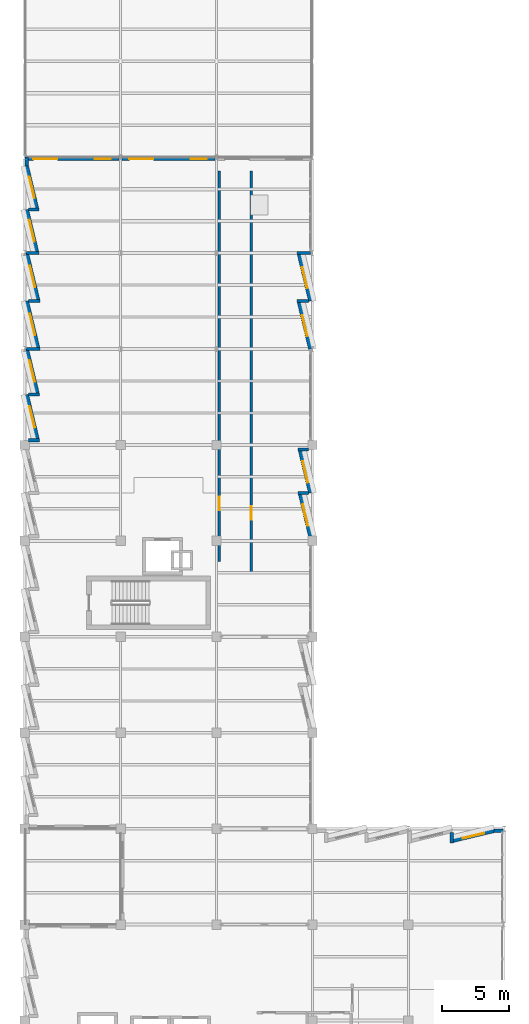
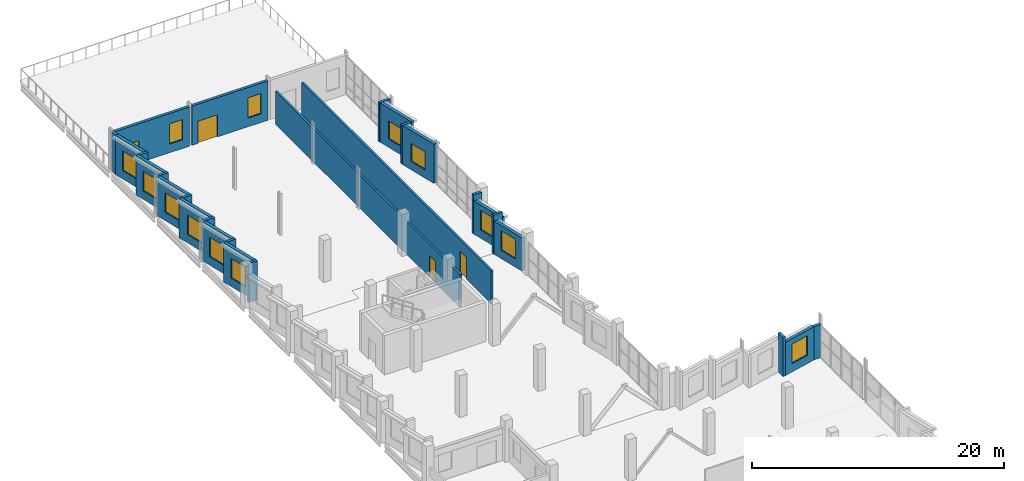
# One storey, part 26 of 33: 28 walls, 13 windows, 4 doors, 17 openings.
"""IFC4 building model written with IfcOpenShell, lengths in metres."""

from ifc_helpers import new_model, si_unit, direction, frame, frame_2d, origin, place, context, subcontext, project, spatial, rectangle, extrude, material, layer, layer_set, type_object, element, fill, save


model = new_model("IFC4")

# Units and contexts
model_context = context("Model", 3, precision=1e-05, world=origin(), true_north=direction((0.0, 1.0)))
body_context = subcontext(model_context, "Body", "Model", "MODEL_VIEW")
ifc_project = project(units=[si_unit("LENGTHUNIT", "METRE"), si_unit("AREAUNIT", "SQUARE_METRE"), si_unit("VOLUMEUNIT", "CUBIC_METRE"), si_unit("PLANEANGLEUNIT", "RADIAN"), si_unit("MASSUNIT", "GRAM", prefix="KILO")], contexts=[model_context])

# Site, building, storey
site_placement = place(None, origin())
site = spatial("IfcSite", under=ifc_project, at=site_placement, CompositionType="ELEMENT")
building_placement = place(site_placement, origin())
building = spatial("IfcBuilding", under=site, at=building_placement, Name="Kalmorath City Hall", CompositionType="ELEMENT")
storey_placement = place(building_placement, frame((0.0, 0.0, 22.949951171875)))
storey = spatial("IfcBuildingStorey", under=building, at=storey_placement, Name="L05", CompositionType="ELEMENT", Elevation=22.949951171875)

# Wall, opening, door
ifc_material_1 = material(Name="Fire-rated acoustic gypsum partition")
ifc_layer_1 = layer(ifc_material_1, 0.179931640625)
ifc_layer_set_1 = layer_set([ifc_layer_1], Name="Fire-rated acoustic gypsum partition")
wall_type_1 = type_object("IfcWallType", Name="One-hour corridor fire partition 180", PredefinedType="PARTITIONING", material=ifc_layer_set_1)
wall_1_placement = place(storey_placement, frame((17.0, 55.239990234375, 0.0), z_axis=(0.0, 0.0, 1.0), x_axis=(0.0, 1.0, 0.0)))
wall_1 = element("IfcWall", 1, at=wall_1_placement, inside=storey, type_object=wall_type_1, Name="L05 interior partition PW2 #173", PredefinedType="PARTITIONING", context=body_context, shape_type="SweptSolid", body=[
    extrude(rectangle(XDim=30.1201171875, YDim=0.179931640625, at=frame_2d((15.06005859375, 0.0))), origin(), (0.0, 0.0, 1.0), 3.2060546875),
])
opening_1_placement = place(wall_1_placement, frame((3.955078125, 0.0, 0.0)))
opening_1 = element("IfcOpeningElement", 2, at=opening_1_placement, cuts=wall_1, Name="Opening D-L05-255", PredefinedType="OPENING", context=body_context, shape_type="SweptSolid", body=[
    extrude(rectangle(XDim=1.0, YDim=2.10009765625, at=frame_2d((0.5, 1.050048828125))), frame((0.0, 0.099853515625, 0.0), z_axis=(0.0, -1.0, 0.0), x_axis=(1.0, 0.0, 0.0)), (0.0, 0.0, 1.0), 0.199951171875),
])
ifc_material_2 = material(Name="Hardwood fire door", Category="wood")
door_type_1 = type_object("IfcDoorType", Name="Corridor 60-min fire door 1000x2100", OperationType="NOTDEFINED", PredefinedType="DOOR", material=ifc_material_2)
door_1_placement = place(opening_1_placement, origin())
door_1 = element("IfcDoor", 3, at=door_1_placement, inside=storey, type_object=door_type_1, Name="L05 door D-L05-255", OperationType="SINGLE_SWING_LEFT", OverallHeight=2.10009765625, OverallWidth=1.0, PredefinedType="DOOR", context=body_context, shape_type="SweptSolid", body=[
    extrude(rectangle(XDim=1.0, YDim=2.10009765625, at=frame_2d((0.5, 1.050048828125))), frame((0.0, 0.02490234375, 0.0), z_axis=(0.0, -1.0, 0.0), x_axis=(1.0, 0.0, 0.0)), (0.0, 0.0, 1.0), 0.050048828125),
])
fill(opening_1, door_1)

wall_2_placement = place(storey_placement, frame((14.60009765625, 56.0400390625, 0.0), z_axis=(0.0, 0.0, 1.0), x_axis=(0.0, 1.0, 0.0)))
wall_2 = element("IfcWall", 4, at=wall_2_placement, inside=storey, type_object=wall_type_1, Name="L05 interior partition PW2 #174", PredefinedType="PARTITIONING", context=body_context, shape_type="SweptSolid", body=[
    extrude(rectangle(XDim=29.320068359375, YDim=0.179931640625, at=frame_2d((14.66015625, 0.0))), origin(), (0.0, 0.0, 1.0), 3.2060546875),
])
opening_2_placement = place(wall_2_placement, frame((3.85498046875, 0.0, 0.0)))
opening_2 = element("IfcOpeningElement", 5, at=opening_2_placement, cuts=wall_2, Name="Opening D-L05-256", PredefinedType="OPENING", context=body_context, shape_type="SweptSolid", body=[
    extrude(rectangle(XDim=1.0, YDim=2.10009765625, at=frame_2d((0.5, 1.050048828125))), frame((0.0, 0.099853515625, 0.0), z_axis=(0.0, -1.0, 0.0), x_axis=(1.0, 0.0, 0.0)), (0.0, 0.0, 1.0), 0.199951171875),
])
door_2_placement = place(opening_2_placement, origin())
door_2 = element("IfcDoor", 6, at=door_2_placement, inside=storey, type_object=door_type_1, Name="L05 door D-L05-256", OperationType="SINGLE_SWING_RIGHT", OverallHeight=2.10009765625, OverallWidth=1.0, PredefinedType="DOOR", context=body_context, shape_type="SweptSolid", body=[
    extrude(rectangle(XDim=1.0, YDim=2.10009765625, at=frame_2d((0.5, 1.050048828125))), frame((0.0, 0.02490234375, 0.0), z_axis=(0.0, -1.0, 0.0), x_axis=(1.0, 0.0, 0.0)), (0.0, 0.0, 1.0), 0.050048828125),
])
fill(opening_2, door_2)

# Walls
ifc_material_3 = material(Name="Precast concrete C40/50", Category="concrete")
ifc_layer_2 = layer(ifc_material_3, 0.239990234375)
ifc_layer_set_2 = layer_set([ifc_layer_2], Name="Precast concrete C40/50")
wall_type_2 = type_object("IfcWallType", Name="Precast sawtooth cheek wall 240", PredefinedType="SOLIDWALL", material=ifc_layer_set_2)
for number, where, z_axis, x_axis, name in (
    (7, (1.127197265625, 65.15087890625, 0.0), (0.0, 0.0, 1.0), (-1.0, 0.0, 0.0), "L05 sawtooth return cheek #922"),
    (8, (1.127197265625, 68.575439453125, 0.0), (0.0, 0.0, 1.0), (-1.0, 0.0, 0.0), "L05 sawtooth return cheek #924"),
):
    element("IfcWall", number, at=place(storey_placement, frame(where, z_axis=z_axis, x_axis=x_axis)), inside=storey, type_object=wall_type_2, Name=name, PredefinedType="SOLIDWALL", context=body_context, shape_type="SweptSolid", body=[
        extrude(rectangle(XDim=0.835205078125, YDim=0.239990234375, at=frame_2d((0.41748046875, 0.0))), origin(), (0.0, 0.0, 1.0), 3.800048828125),
    ])
wall_3_placement = place(storey_placement, frame((1.169189453125, 72.0, 0.0), z_axis=(0.0, 0.0, 1.0), x_axis=(-1.0, 0.0, 0.0)))
element("IfcWall", 9, at=wall_3_placement, inside=storey, type_object=wall_type_2, Name="L05 sawtooth return cheek #926", PredefinedType="SOLIDWALL", context=body_context, shape_type="SweptSolid", body=[
    extrude(rectangle(XDim=1.029296875, YDim=0.239990234375, at=frame_2d((0.5146484375, 0.0))), origin(), (0.0, 0.0, 1.0), 3.800048828125),
])
wall_4_placement = place(storey_placement, frame((1.169189453125, 75.60009765625, 0.0), z_axis=(0.0, 0.0, 1.0), x_axis=(-1.0, 0.0, 0.0)))
element("IfcWall", 10, at=wall_4_placement, inside=storey, type_object=wall_type_2, Name="L05 sawtooth return cheek #928", PredefinedType="SOLIDWALL", context=body_context, shape_type="SweptSolid", body=[
    extrude(rectangle(XDim=0.877197265625, YDim=0.239990234375, at=frame_2d((0.4384765625, 0.0))), origin(), (0.0, 0.0, 1.0), 3.800048828125),
])
wall_5_placement = place(storey_placement, frame((1.087646484375, 79.199951171875, 0.0), z_axis=(0.0, 0.0, 1.0), x_axis=(-1.0, 0.0, 0.0)))
element("IfcWall", 11, at=wall_5_placement, inside=storey, type_object=wall_type_2, Name="L05 sawtooth return cheek #931", PredefinedType="SOLIDWALL", context=body_context, shape_type="SweptSolid", body=[
    extrude(rectangle(XDim=0.94775390625, YDim=0.239990234375, at=frame_2d((0.473876953125, 0.0))), origin(), (0.0, 0.0, 1.0), 3.800048828125),
])
wall_6_placement = place(storey_placement, frame((1.087646484375, 82.4599609375, 0.0), z_axis=(0.0, 0.0, 1.0), x_axis=(-1.0, 0.0, 0.0)))
element("IfcWall", 12, at=wall_6_placement, inside=storey, type_object=wall_type_2, Name="L05 sawtooth return cheek #933", PredefinedType="SOLIDWALL", context=body_context, shape_type="SweptSolid", body=[
    extrude(rectangle(XDim=0.795654296875, YDim=0.239990234375, at=frame_2d((0.39794921875, 0.0))), origin(), (0.0, 0.0, 1.0), 3.800048828125),
])
wall_7_placement = place(storey_placement, frame((20.4306640625, 79.199951171875, 0.0), z_axis=(0.0, 0.0, 1.0), x_axis=(1.0, 0.0, 0.0)))
element("IfcWall", 13, at=wall_7_placement, inside=storey, type_object=wall_type_2, Name="L05 sawtooth return cheek #938", PredefinedType="SOLIDWALL", context=body_context, shape_type="SweptSolid", body=[
    extrude(rectangle(XDim=1.029296875, YDim=0.239990234375, at=frame_2d((0.5146484375, 0.0))), origin(), (0.0, 0.0, 1.0), 3.800048828125),
])
wall_8_placement = place(storey_placement, frame((20.4306640625, 75.60009765625, 0.0), z_axis=(0.0, 0.0, 1.0), x_axis=(1.0, 0.0, 0.0)))
element("IfcWall", 14, at=wall_8_placement, inside=storey, type_object=wall_type_2, Name="L05 sawtooth return cheek #940", PredefinedType="SOLIDWALL", context=body_context, shape_type="SweptSolid", body=[
    extrude(rectangle(XDim=0.87744140625, YDim=0.239990234375, at=frame_2d((0.438720703125, 0.0))), origin(), (0.0, 0.0, 1.0), 3.800048828125),
])
for number, where, z_axis, x_axis, name in (
    (15, (20.514892578125, 64.448974609375, 0.0), (0.0, 0.0, 1.0), (1.0, 0.0, 0.0), "L05 sawtooth return cheek #942"),
    (16, (20.514892578125, 61.199951171875, 0.0), (0.0, 0.0, 1.0), (1.0, 0.0, 0.0), "L05 sawtooth return cheek #944"),
):
    element("IfcWall", number, at=place(storey_placement, frame(where, z_axis=z_axis, x_axis=x_axis)), inside=storey, type_object=wall_type_2, Name=name, PredefinedType="SOLIDWALL", context=body_context, shape_type="SweptSolid", body=[
        extrude(rectangle(XDim=0.793212890625, YDim=0.239990234375, at=frame_2d((0.396484375, 0.0))), origin(), (0.0, 0.0, 1.0), 3.800048828125),
    ])
wall_9_placement = place(storey_placement, frame((32.06005859375, 34.93701171875, 0.0), z_axis=(0.0, 0.0, 1.0), x_axis=(0.0, 1.0, 0.0)))
element("IfcWall", 17, at=wall_9_placement, inside=storey, type_object=wall_type_2, Name="L05 sawtooth return cheek #958", PredefinedType="SOLIDWALL", context=body_context, shape_type="SweptSolid", body=[
    extrude(rectangle(XDim=0.77099609375, YDim=0.239990234375, at=frame_2d((0.385498046875, 0.0))), origin(), (0.0, 0.0, 1.0), 3.800048828125),
])

# Wall, opening, window
ifc_material_4 = material(Name="Precast concrete C40/50", Category="concrete")
ifc_layer_3 = layer(ifc_material_4, 0.280029296875)
ifc_layer_set_3 = layer_set([ifc_layer_3], Name="Precast concrete C40/50")
wall_type_3 = type_object("IfcWallType", Name="Precast sawtooth facade wall 280", PredefinedType="SOLIDWALL", material=ifc_layer_set_3)
wall_10_placement = place(storey_placement, frame((0.9599609375, 65.243408203125, 0.0), z_axis=(0.0, 0.0, 1.0), x_axis=(-0.233472652325, 0.972363368611, 0.0)))
wall_10 = element("IfcWall", 18, at=wall_10_placement, inside=storey, type_object=wall_type_3, Name="L05 sawtooth precast frame #921", PredefinedType="SOLIDWALL", context=body_context, shape_type="SweptSolid", body=[
    extrude(rectangle(XDim=3.4267578125, YDim=0.280029296875, at=frame_2d((1.71337890625, 0.0))), origin(), (0.0, 0.0, 1.0), 3.800048828125),
])
opening_3_placement = place(wall_10_placement, frame((0.888427734375, 0.0, 0.800048828125)))
opening_3 = element("IfcOpeningElement", 19, at=opening_3_placement, cuts=wall_10, Name="Opening WN2", PredefinedType="OPENING", context=body_context, shape_type="SweptSolid", body=[
    extrude(rectangle(XDim=1.64990234375, YDim=1.89990234375, at=frame_2d((0.824951171875, 0.949951171875))), frame((0.0, 0.14990234375, 0.0), z_axis=(0.0, -1.0, 0.0), x_axis=(1.0, 0.0, 0.0)), (0.0, 0.0, 1.0), 0.300048828125),
])
ifc_material_5 = material(Name="Aluminium and laminated glass", Category="aluminium")
window_type_1 = type_object("IfcWindowType", Name="Sawtooth hurricane window 1650x1900", PartitioningType="SINGLE_PANEL", PredefinedType="WINDOW", material=ifc_material_5)
window_1_placement = place(opening_3_placement, origin())
window_1 = element("IfcWindow", 20, at=window_1_placement, inside=storey, type_object=window_type_1, Name="L05 window WN2-474", OverallHeight=1.89990234375, OverallWidth=1.64990234375, PartitioningType="SINGLE_PANEL", PredefinedType="WINDOW", context=body_context, shape_type="SweptSolid", body=[
    extrude(rectangle(XDim=1.64990234375, YDim=1.89990234375, at=frame_2d((0.824951171875, 0.949951171875))), frame((0.0, 0.030029296875, 0.0), z_axis=(0.0, -1.0, 0.0), x_axis=(1.0, 0.0, 0.0)), (0.0, 0.0, 1.0), 0.06005859375),
])
fill(opening_3, window_1)

wall_11_placement = place(storey_placement, frame((0.9599609375, 68.66796875, 0.0), z_axis=(0.0, 0.0, 1.0), x_axis=(-0.233472652325, 0.972363368611, 0.0)))
wall_11 = element("IfcWall", 21, at=wall_11_placement, inside=storey, type_object=wall_type_3, Name="L05 sawtooth precast frame #923", PredefinedType="SOLIDWALL", context=body_context, shape_type="SweptSolid", body=[
    extrude(rectangle(XDim=3.4267578125, YDim=0.280029296875, at=frame_2d((1.71337890625, 0.0))), origin(), (0.0, 0.0, 1.0), 3.800048828125),
])
opening_4_placement = place(wall_11_placement, frame((0.888427734375, 0.0, 0.800048828125)))
opening_4 = element("IfcOpeningElement", 22, at=opening_4_placement, cuts=wall_11, Name="Opening WN2", PredefinedType="OPENING", context=body_context, shape_type="SweptSolid", body=[
    extrude(rectangle(XDim=1.64990234375, YDim=1.89990234375, at=frame_2d((0.824951171875, 0.949951171875))), frame((0.0, 0.14990234375, 0.0), z_axis=(0.0, -1.0, 0.0), x_axis=(1.0, 0.0, 0.0)), (0.0, 0.0, 1.0), 0.300048828125),
])
window_2_placement = place(opening_4_placement, origin())
window_2 = element("IfcWindow", 23, at=window_2_placement, inside=storey, type_object=window_type_1, Name="L05 window WN2-475", OverallHeight=1.89990234375, OverallWidth=1.64990234375, PartitioningType="SINGLE_PANEL", PredefinedType="WINDOW", context=body_context, shape_type="SweptSolid", body=[
    extrude(rectangle(XDim=1.64990234375, YDim=1.89990234375, at=frame_2d((0.824951171875, 0.949951171875))), frame((0.0, 0.030029296875, 0.0), z_axis=(0.0, -1.0, 0.0), x_axis=(1.0, 0.0, 0.0)), (0.0, 0.0, 1.0), 0.06005859375),
])
fill(opening_4, window_2)

wall_12_placement = place(storey_placement, frame((1.002197265625, 72.09228515625, 0.0), z_axis=(0.0, 0.0, 1.0), x_axis=(-0.233480453725, 0.972361495396, 0.0)))
wall_12 = element("IfcWall", 24, at=wall_12_placement, inside=storey, type_object=wall_type_3, Name="L05 sawtooth precast frame #925", PredefinedType="SOLIDWALL", context=body_context, shape_type="SweptSolid", body=[
    extrude(rectangle(XDim=3.607421875, YDim=0.280029296875, at=frame_2d((1.8037109375, 0.0))), origin(), (0.0, 0.0, 1.0), 3.800048828125),
])
opening_5_placement = place(wall_12_placement, frame((0.978515625, 0.0, 0.800048828125)))
opening_5 = element("IfcOpeningElement", 25, at=opening_5_placement, cuts=wall_12, Name="Opening WN2", PredefinedType="OPENING", context=body_context, shape_type="SweptSolid", body=[
    extrude(rectangle(XDim=1.64990234375, YDim=1.89990234375, at=frame_2d((0.824951171875, 0.949951171875))), frame((0.0, 0.14990234375, 0.0), z_axis=(0.0, -1.0, 0.0), x_axis=(1.0, 0.0, 0.0)), (0.0, 0.0, 1.0), 0.300048828125),
])
window_3_placement = place(opening_5_placement, origin())
window_3 = element("IfcWindow", 26, at=window_3_placement, inside=storey, type_object=window_type_1, Name="L05 window WN2-476", OverallHeight=1.89990234375, OverallWidth=1.64990234375, PartitioningType="SINGLE_PANEL", PredefinedType="WINDOW", context=body_context, shape_type="SweptSolid", body=[
    extrude(rectangle(XDim=1.64990234375, YDim=1.89990234375, at=frame_2d((0.824951171875, 0.949951171875))), frame((0.0, 0.030029296875, 0.0), z_axis=(0.0, -1.0, 0.0), x_axis=(1.0, 0.0, 0.0)), (0.0, 0.0, 1.0), 0.06005859375),
])
fill(opening_5, window_3)

wall_13_placement = place(storey_placement, frame((1.002197265625, 75.6923828125, 0.0), z_axis=(0.0, 0.0, 1.0), x_axis=(-0.233495818898, 0.972357805829, 0.0)))
wall_13 = element("IfcWall", 27, at=wall_13_placement, inside=storey, type_object=wall_type_3, Name="L05 sawtooth precast frame #927", PredefinedType="SOLIDWALL", context=body_context, shape_type="SweptSolid", body=[
    extrude(rectangle(XDim=3.607177734375, YDim=0.280029296875, at=frame_2d((1.8037109375, 0.0))), origin(), (0.0, 0.0, 1.0), 3.800048828125),
])
opening_6_placement = place(wall_13_placement, frame((0.978515625, 0.0, 0.800048828125)))
opening_6 = element("IfcOpeningElement", 28, at=opening_6_placement, cuts=wall_13, Name="Opening WN2", PredefinedType="OPENING", context=body_context, shape_type="SweptSolid", body=[
    extrude(rectangle(XDim=1.64990234375, YDim=1.89990234375, at=frame_2d((0.824951171875, 0.949951171875))), frame((0.0, 0.14990234375, 0.0), z_axis=(0.0, -1.0, 0.0), x_axis=(1.0, 0.0, 0.0)), (0.0, 0.0, 1.0), 0.300048828125),
])
window_4_placement = place(opening_6_placement, origin())
window_4 = element("IfcWindow", 29, at=window_4_placement, inside=storey, type_object=window_type_1, Name="L05 window WN2-477", OverallHeight=1.89990234375, OverallWidth=1.64990234375, PartitioningType="SINGLE_PANEL", PredefinedType="WINDOW", context=body_context, shape_type="SweptSolid", body=[
    extrude(rectangle(XDim=1.64990234375, YDim=1.89990234375, at=frame_2d((0.824951171875, 0.949951171875))), frame((0.0, 0.030029296875, 0.0), z_axis=(0.0, -1.0, 0.0), x_axis=(1.0, 0.0, 0.0)), (0.0, 0.0, 1.0), 0.06005859375),
])
fill(opening_6, window_4)

wall_14_placement = place(storey_placement, frame((0.92041015625, 79.29248046875, 0.0), z_axis=(0.0, 0.0, 1.0), x_axis=(-0.233460824675, 0.972366208453, 0.0)))
wall_14 = element("IfcWall", 30, at=wall_14_placement, inside=storey, type_object=wall_type_3, Name="L05 sawtooth precast frame #930", PredefinedType="SOLIDWALL", context=body_context, shape_type="SweptSolid", body=[
    extrude(rectangle(XDim=3.257568359375, YDim=0.280029296875, at=frame_2d((1.62890625, 0.0))), origin(), (0.0, 0.0, 1.0), 3.800048828125),
])
opening_7_placement = place(wall_14_placement, frame((0.8037109375, 0.0, 0.800048828125)))
opening_7 = element("IfcOpeningElement", 31, at=opening_7_placement, cuts=wall_14, Name="Opening WN2", PredefinedType="OPENING", context=body_context, shape_type="SweptSolid", body=[
    extrude(rectangle(XDim=1.64990234375, YDim=1.89990234375, at=frame_2d((0.824951171875, 0.949951171875))), frame((0.0, 0.14990234375, 0.0), z_axis=(0.0, -1.0, 0.0), x_axis=(1.0, 0.0, 0.0)), (0.0, 0.0, 1.0), 0.300048828125),
])
window_5_placement = place(opening_7_placement, origin())
window_5 = element("IfcWindow", 32, at=window_5_placement, inside=storey, type_object=window_type_1, Name="L05 window WN2-478", OverallHeight=1.89990234375, OverallWidth=1.64990234375, PartitioningType="SINGLE_PANEL", PredefinedType="WINDOW", context=body_context, shape_type="SweptSolid", body=[
    extrude(rectangle(XDim=1.64990234375, YDim=1.89990234375, at=frame_2d((0.824951171875, 0.949951171875))), frame((0.0, 0.030029296875, 0.0), z_axis=(0.0, -1.0, 0.0), x_axis=(1.0, 0.0, 0.0)), (0.0, 0.0, 1.0), 0.06005859375),
])
fill(opening_7, window_5)

wall_15_placement = place(storey_placement, frame((0.92041015625, 82.552490234375, 0.0), z_axis=(0.0, 0.0, 1.0), x_axis=(-0.233460824675, 0.972366208453, 0.0)))
wall_15 = element("IfcWall", 33, at=wall_15_placement, inside=storey, type_object=wall_type_3, Name="L05 sawtooth precast frame #932", PredefinedType="SOLIDWALL", context=body_context, shape_type="SweptSolid", body=[
    extrude(rectangle(XDim=3.257568359375, YDim=0.280029296875, at=frame_2d((1.62890625, 0.0))), origin(), (0.0, 0.0, 1.0), 3.800048828125),
])
opening_8_placement = place(wall_15_placement, frame((0.8037109375, 0.0, 0.800048828125)))
opening_8 = element("IfcOpeningElement", 34, at=opening_8_placement, cuts=wall_15, Name="Opening WN2", PredefinedType="OPENING", context=body_context, shape_type="SweptSolid", body=[
    extrude(rectangle(XDim=1.64990234375, YDim=1.89990234375, at=frame_2d((0.824951171875, 0.949951171875))), frame((0.0, 0.14990234375, 0.0), z_axis=(0.0, -1.0, 0.0), x_axis=(1.0, 0.0, 0.0)), (0.0, 0.0, 1.0), 0.300048828125),
])
window_6_placement = place(opening_8_placement, origin())
window_6 = element("IfcWindow", 35, at=window_6_placement, inside=storey, type_object=window_type_1, Name="L05 window WN2-479", OverallHeight=1.89990234375, OverallWidth=1.64990234375, PartitioningType="SINGLE_PANEL", PredefinedType="WINDOW", context=body_context, shape_type="SweptSolid", body=[
    extrude(rectangle(XDim=1.64990234375, YDim=1.89990234375, at=frame_2d((0.824951171875, 0.949951171875))), frame((0.0, 0.030029296875, 0.0), z_axis=(0.0, -1.0, 0.0), x_axis=(1.0, 0.0, 0.0)), (0.0, 0.0, 1.0), 0.06005859375),
])
fill(opening_8, window_6)

wall_16_placement = place(storey_placement, frame((20.597900390625, 79.107666015625, 0.0), z_axis=(0.0, 0.0, 1.0), x_axis=(0.233431827365, -0.972373170122, 0.0)))
wall_16 = element("IfcWall", 36, at=wall_16_placement, inside=storey, type_object=wall_type_3, Name="L05 sawtooth precast frame #937", PredefinedType="SOLIDWALL", context=body_context, shape_type="SweptSolid", body=[
    extrude(rectangle(XDim=3.607177734375, YDim=0.280029296875, at=frame_2d((1.8037109375, 0.0))), origin(), (0.0, 0.0, 1.0), 3.800048828125),
])
opening_9_placement = place(wall_16_placement, frame((1.003662109375, 0.0, 0.800048828125)))
opening_9 = element("IfcOpeningElement", 37, at=opening_9_placement, cuts=wall_16, Name="Opening WN3", PredefinedType="OPENING", context=body_context, shape_type="SweptSolid", body=[
    extrude(rectangle(XDim=1.60009765625, YDim=1.75, at=frame_2d((0.800048828125, 0.875))), frame((0.0, 0.14990234375, 0.0), z_axis=(0.0, -1.0, 0.0), x_axis=(1.0, 0.0, 0.0)), (0.0, 0.0, 1.0), 0.300048828125),
])
ifc_material_6 = material(Name="Aluminium and laminated glass", Category="aluminium")
window_type_2 = type_object("IfcWindowType", Name="Sawtooth upper window 1600x1750", PartitioningType="SINGLE_PANEL", PredefinedType="WINDOW", material=ifc_material_6)
window_7_placement = place(opening_9_placement, origin())
window_7 = element("IfcWindow", 38, at=window_7_placement, inside=storey, type_object=window_type_2, Name="L05 window WN3-483", OverallHeight=1.75, OverallWidth=1.60009765625, PartitioningType="SINGLE_PANEL", PredefinedType="WINDOW", context=body_context, shape_type="SweptSolid", body=[
    extrude(rectangle(XDim=1.60009765625, YDim=1.75, at=frame_2d((0.800048828125, 0.875))), frame((0.0, 0.030029296875, 0.0), z_axis=(0.0, -1.0, 0.0), x_axis=(1.0, 0.0, 0.0)), (0.0, 0.0, 1.0), 0.06005859375),
])
fill(opening_9, window_7)

wall_17_placement = place(storey_placement, frame((20.597900390625, 75.507568359375, 0.0), z_axis=(0.0, 0.0, 1.0), x_axis=(0.233431827365, -0.972373170122, 0.0)))
wall_17 = element("IfcWall", 39, at=wall_17_placement, inside=storey, type_object=wall_type_3, Name="L05 sawtooth precast frame #939", PredefinedType="SOLIDWALL", context=body_context, shape_type="SweptSolid", body=[
    extrude(rectangle(XDim=3.607177734375, YDim=0.280029296875, at=frame_2d((1.8037109375, 0.0))), origin(), (0.0, 0.0, 1.0), 3.800048828125),
])
opening_10_placement = place(wall_17_placement, frame((1.003662109375, 0.0, 0.800048828125)))
opening_10 = element("IfcOpeningElement", 40, at=opening_10_placement, cuts=wall_17, Name="Opening WN3", PredefinedType="OPENING", context=body_context, shape_type="SweptSolid", body=[
    extrude(rectangle(XDim=1.60009765625, YDim=1.75, at=frame_2d((0.800048828125, 0.875))), frame((0.0, 0.14990234375, 0.0), z_axis=(0.0, -1.0, 0.0), x_axis=(1.0, 0.0, 0.0)), (0.0, 0.0, 1.0), 0.300048828125),
])
window_8_placement = place(opening_10_placement, origin())
window_8 = element("IfcWindow", 41, at=window_8_placement, inside=storey, type_object=window_type_2, Name="L05 window WN3-484", OverallHeight=1.75, OverallWidth=1.60009765625, PartitioningType="SINGLE_PANEL", PredefinedType="WINDOW", context=body_context, shape_type="SweptSolid", body=[
    extrude(rectangle(XDim=1.60009765625, YDim=1.75, at=frame_2d((0.800048828125, 0.875))), frame((0.0, 0.030029296875, 0.0), z_axis=(0.0, -1.0, 0.0), x_axis=(1.0, 0.0, 0.0)), (0.0, 0.0, 1.0), 0.06005859375),
])
fill(opening_10, window_8)

wall_18_placement = place(storey_placement, frame((20.68212890625, 64.356689453125, 0.0), z_axis=(0.0, 0.0, 1.0), x_axis=(0.233429837788, -0.972373647746, 0.0)))
wall_18 = element("IfcWall", 42, at=wall_18_placement, inside=storey, type_object=wall_type_3, Name="L05 sawtooth precast frame #941", PredefinedType="SOLIDWALL", context=body_context, shape_type="SweptSolid", body=[
    extrude(rectangle(XDim=3.246337890625, YDim=0.280029296875, at=frame_2d((1.623046875, 0.0))), origin(), (0.0, 0.0, 1.0), 3.216064453125),
])
opening_11_placement = place(wall_18_placement, frame((0.798095703125, 0.0, 0.800048828125)))
opening_11 = element("IfcOpeningElement", 43, at=opening_11_placement, cuts=wall_18, Name="Opening WN2", PredefinedType="OPENING", context=body_context, shape_type="SweptSolid", body=[
    extrude(rectangle(XDim=1.64990234375, YDim=1.89990234375, at=frame_2d((0.824951171875, 0.949951171875))), frame((0.0, 0.14990234375, 0.0), z_axis=(0.0, -1.0, 0.0), x_axis=(1.0, 0.0, 0.0)), (0.0, 0.0, 1.0), 0.300048828125),
])
window_9_placement = place(opening_11_placement, origin())
window_9 = element("IfcWindow", 44, at=window_9_placement, inside=storey, type_object=window_type_1, Name="L05 window WN2-485", OverallHeight=1.89990234375, OverallWidth=1.64990234375, PartitioningType="SINGLE_PANEL", PredefinedType="WINDOW", context=body_context, shape_type="SweptSolid", body=[
    extrude(rectangle(XDim=1.64990234375, YDim=1.89990234375, at=frame_2d((0.824951171875, 0.949951171875))), frame((0.0, 0.030029296875, 0.0), z_axis=(0.0, -1.0, 0.0), x_axis=(1.0, 0.0, 0.0)), (0.0, 0.0, 1.0), 0.06005859375),
])
fill(opening_11, window_9)

wall_19_placement = place(storey_placement, frame((20.68212890625, 61.107666015625, 0.0), z_axis=(0.0, 0.0, 1.0), x_axis=(0.233429837788, -0.972373647746, 0.0)))
wall_19 = element("IfcWall", 45, at=wall_19_placement, inside=storey, type_object=wall_type_3, Name="L05 sawtooth precast frame #943", PredefinedType="SOLIDWALL", context=body_context, shape_type="SweptSolid", body=[
    extrude(rectangle(XDim=3.246337890625, YDim=0.280029296875, at=frame_2d((1.623046875, 0.0))), origin(), (0.0, 0.0, 1.0), 3.216064453125),
])
opening_12_placement = place(wall_19_placement, frame((0.798095703125, 0.0, 0.800048828125)))
opening_12 = element("IfcOpeningElement", 46, at=opening_12_placement, cuts=wall_19, Name="Opening WN2", PredefinedType="OPENING", context=body_context, shape_type="SweptSolid", body=[
    extrude(rectangle(XDim=1.64990234375, YDim=1.89990234375, at=frame_2d((0.824951171875, 0.949951171875))), frame((0.0, 0.14990234375, 0.0), z_axis=(0.0, -1.0, 0.0), x_axis=(1.0, 0.0, 0.0)), (0.0, 0.0, 1.0), 0.300048828125),
])
window_10_placement = place(opening_12_placement, origin())
window_10 = element("IfcWindow", 47, at=window_10_placement, inside=storey, type_object=window_type_1, Name="L05 window WN2-486", OverallHeight=1.89990234375, OverallWidth=1.64990234375, PartitioningType="SINGLE_PANEL", PredefinedType="WINDOW", context=body_context, shape_type="SweptSolid", body=[
    extrude(rectangle(XDim=1.64990234375, YDim=1.89990234375, at=frame_2d((0.824951171875, 0.949951171875))), frame((0.0, 0.030029296875, 0.0), z_axis=(0.0, -1.0, 0.0), x_axis=(1.0, 0.0, 0.0)), (0.0, 0.0, 1.0), 0.06005859375),
])
fill(opening_12, window_10)

wall_20_placement = place(storey_placement, frame((32.15234375, 35.104248046875, 0.0), z_axis=(0.0, 0.0, 1.0), x_axis=(0.972364797516, 0.233466701164, 0.0)))
wall_20 = element("IfcWall", 48, at=wall_20_placement, inside=storey, type_object=wall_type_3, Name="L05 sawtooth precast frame #957", PredefinedType="SOLIDWALL", context=body_context, shape_type="SweptSolid", body=[
    extrude(rectangle(XDim=3.15185546875, YDim=0.280029296875, at=frame_2d((1.575927734375, 0.0))), origin(), (0.0, 0.0, 1.0), 3.216064453125),
])
opening_13_placement = place(wall_20_placement, frame((0.7509765625, 0.0, 0.800048828125)))
opening_13 = element("IfcOpeningElement", 49, at=opening_13_placement, cuts=wall_20, Name="Opening WN2", PredefinedType="OPENING", context=body_context, shape_type="SweptSolid", body=[
    extrude(rectangle(XDim=1.64990234375, YDim=1.89990234375, at=frame_2d((0.824951171875, 0.949951171875))), frame((0.0, 0.14990234375, 0.0), z_axis=(0.0, -1.0, 0.0), x_axis=(1.0, 0.0, 0.0)), (0.0, 0.0, 1.0), 0.300048828125),
])
window_11_placement = place(opening_13_placement, origin())
window_11 = element("IfcWindow", 50, at=window_11_placement, inside=storey, type_object=window_type_1, Name="L05 window WN2-492", OverallHeight=1.89990234375, OverallWidth=1.64990234375, PartitioningType="SINGLE_PANEL", PredefinedType="WINDOW", context=body_context, shape_type="SweptSolid", body=[
    extrude(rectangle(XDim=1.64990234375, YDim=1.89990234375, at=frame_2d((0.824951171875, 0.949951171875))), frame((0.0, 0.030029296875, 0.0), z_axis=(0.0, -1.0, 0.0), x_axis=(1.0, 0.0, 0.0)), (0.0, 0.0, 1.0), 0.06005859375),
])
fill(opening_13, window_11)

# Walls
ifc_material_7 = material(Name="Precast concrete C40/50", Category="concrete")
ifc_layer_4 = layer(ifc_material_7, 0.260009765625)
ifc_layer_set_4 = layer_set([ifc_layer_4], Name="Precast concrete C40/50")
wall_type_4 = type_object("IfcWallType", Name="Precast sawtooth return wall 260", PredefinedType="SOLIDWALL", material=ifc_layer_set_4)
wall_21_placement = place(storey_placement, frame((0.159912109375, 85.719970703125, 0.0), z_axis=(0.0, 0.0, 1.0), x_axis=(0.0, 1.0, 0.0)))
element("IfcWall", 51, at=wall_21_placement, inside=storey, type_object=wall_type_4, Name="L05 corner pier wall #929", PredefinedType="SOLIDWALL", context=body_context, shape_type="SweptSolid", body=[
    extrude(rectangle(XDim=0.679931640625, YDim=0.260009765625, at=frame_2d((0.33984375, 0.0))), origin(), (0.0, 0.0, 1.0), 3.800048828125),
])
wall_22_placement = place(storey_placement, frame((35.217041015625, 35.840087890625, 0.0), z_axis=(0.0, 0.0, 1.0), x_axis=(1.0, 0.0, 0.0)))
element("IfcWall", 52, at=wall_22_placement, inside=storey, type_object=wall_type_4, Name="L05 corner pier wall #954", PredefinedType="SOLIDWALL", context=body_context, shape_type="SweptSolid", body=[
    extrude(rectangle(XDim=0.679931640625, YDim=0.260009765625, at=frame_2d((0.33984375, 0.0))), origin(), (0.0, 0.0, 1.0), 3.216064453125),
])

# Wall, openings, window, door
ifc_material_8 = material(Name="Precast concrete C40/50", Category="concrete")
ifc_layer_5 = layer(ifc_material_8, 0.239990234375)
ifc_layer_set_5 = layer_set([ifc_layer_5], Name="Precast concrete C40/50")
wall_type_5 = type_object("IfcWallType", Name="Recessed loggia insulated wall 240", PredefinedType="SOLIDWALL", material=ifc_layer_set_5)
wall_23_placement = place(storey_placement, frame((0.10302734375, 86.260009765625, 0.0), z_axis=(0.0, 0.0, 1.0), x_axis=(1.0, 0.0, 0.0)))
wall_23 = element("IfcWall", 53, at=wall_23_placement, inside=storey, type_object=wall_type_5, Name="L05 loggia wall #934", PredefinedType="SOLIDWALL", context=body_context, shape_type="SweptSolid", body=[
    extrude(rectangle(XDim=6.993896484375, YDim=0.239990234375, at=frame_2d((3.4970703125, 0.0))), origin(), (0.0, 0.0, 1.0), 3.800048828125),
])
opening_14_placement = place(wall_23_placement, frame((0.550048828125, 0.0, 0.0)))
opening_14 = element("IfcOpeningElement", 54, at=opening_14_placement, cuts=wall_23, Name="Opening D-E034", PredefinedType="OPENING", context=body_context, shape_type="SweptSolid", body=[
    extrude(rectangle(XDim=1.800048828125, YDim=2.14990234375, at=frame_2d((0.89990234375, 1.074951171875))), frame((0.0, 0.1298828125, 0.0), z_axis=(0.0, -1.0, 0.0), x_axis=(1.0, 0.0, 0.0)), (0.0, 0.0, 1.0), 0.260009765625),
])
opening_15_placement = place(wall_23_placement, frame((5.14404296875, 0.0, 0.85009765625)))
opening_15 = element("IfcOpeningElement", 55, at=opening_15_placement, cuts=wall_23, Name="Opening WN16", PredefinedType="OPENING", context=body_context, shape_type="SweptSolid", body=[
    extrude(rectangle(XDim=1.199951171875, YDim=1.949951171875, at=frame_2d((0.60009765625, 0.97509765625))), frame((0.0, 0.1298828125, 0.0), z_axis=(0.0, -1.0, 0.0), x_axis=(1.0, 0.0, 0.0)), (0.0, 0.0, 1.0), 0.260009765625),
])
ifc_material_9 = material(Name="Hardwood-trimmed laminated glass", Category="wood")
window_type_3 = type_object("IfcWindowType", Name="Loggia sidelight window 1200x1950", PartitioningType="SINGLE_PANEL", PredefinedType="WINDOW", material=ifc_material_9)
window_12_placement = place(opening_15_placement, origin())
window_12 = element("IfcWindow", 56, at=window_12_placement, inside=storey, type_object=window_type_3, Name="L05 window WN16-480", OverallHeight=1.949951171875, OverallWidth=1.199951171875, PartitioningType="SINGLE_PANEL", PredefinedType="WINDOW", context=body_context, shape_type="SweptSolid", body=[
    extrude(rectangle(XDim=1.199951171875, YDim=1.949951171875, at=frame_2d((0.60009765625, 0.97509765625))), frame((0.0, 0.030029296875, 0.0), z_axis=(0.0, -1.0, 0.0), x_axis=(1.0, 0.0, 0.0)), (0.0, 0.0, 1.0), 0.06005859375),
])
fill(opening_15, window_12)
ifc_material_10 = material(Name="Bronze-anodised aluminium and glass", Category="aluminium")
door_type_2 = type_object("IfcDoorType", Name="Roof garden double terrace door 1800x2150", OperationType="DOUBLE_DOOR_SINGLE_SWING", PredefinedType="DOOR", material=ifc_material_10)
door_3_placement = place(opening_14_placement, origin())
door_3 = element("IfcDoor", 57, at=door_3_placement, inside=storey, type_object=door_type_2, Name="L05 exterior door D-E034", OperationType="DOUBLE_DOOR_SINGLE_SWING", OverallHeight=2.14990234375, OverallWidth=1.800048828125, PredefinedType="DOOR", context=body_context, shape_type="SweptSolid", body=[
    extrude(rectangle(XDim=1.800048828125, YDim=2.14990234375, at=frame_2d((0.89990234375, 1.074951171875))), frame((0.0, 0.02490234375, 0.0), z_axis=(0.0, -1.0, 0.0), x_axis=(1.0, 0.0, 0.0)), (0.0, 0.0, 1.0), 0.050048828125),
])
fill(opening_14, door_3)

wall_24_placement = place(storey_placement, frame((7.302978515625, 86.260009765625, 0.0), z_axis=(0.0, 0.0, 1.0), x_axis=(1.0, 0.0, 0.0)))
wall_24 = element("IfcWall", 58, at=wall_24_placement, inside=storey, type_object=wall_type_5, Name="L05 loggia wall #935", PredefinedType="SOLIDWALL", context=body_context, shape_type="SweptSolid", body=[
    extrude(rectangle(XDim=6.994140625, YDim=0.239990234375, at=frame_2d((3.4970703125, 0.0))), origin(), (0.0, 0.0, 1.0), 3.800048828125),
])
opening_16_placement = place(wall_24_placement, frame((0.550048828125, 0.0, 0.0)))
opening_16 = element("IfcOpeningElement", 59, at=opening_16_placement, cuts=wall_24, Name="Opening D-E035", PredefinedType="OPENING", context=body_context, shape_type="SweptSolid", body=[
    extrude(rectangle(XDim=1.800048828125, YDim=2.14990234375, at=frame_2d((0.89990234375, 1.074951171875))), frame((0.0, 0.1298828125, 0.0), z_axis=(0.0, -1.0, 0.0), x_axis=(1.0, 0.0, 0.0)), (0.0, 0.0, 1.0), 0.260009765625),
])
opening_17_placement = place(wall_24_placement, frame((5.14404296875, 0.0, 0.85009765625)))
opening_17 = element("IfcOpeningElement", 60, at=opening_17_placement, cuts=wall_24, Name="Opening WN16", PredefinedType="OPENING", context=body_context, shape_type="SweptSolid", body=[
    extrude(rectangle(XDim=1.199951171875, YDim=1.949951171875, at=frame_2d((0.60009765625, 0.97509765625))), frame((0.0, 0.1298828125, 0.0), z_axis=(0.0, -1.0, 0.0), x_axis=(1.0, 0.0, 0.0)), (0.0, 0.0, 1.0), 0.260009765625),
])
window_13_placement = place(opening_17_placement, origin())
window_13 = element("IfcWindow", 61, at=window_13_placement, inside=storey, type_object=window_type_3, Name="L05 window WN16-481", OverallHeight=1.949951171875, OverallWidth=1.199951171875, PartitioningType="SINGLE_PANEL", PredefinedType="WINDOW", context=body_context, shape_type="SweptSolid", body=[
    extrude(rectangle(XDim=1.199951171875, YDim=1.949951171875, at=frame_2d((0.60009765625, 0.97509765625))), frame((0.0, 0.030029296875, 0.0), z_axis=(0.0, -1.0, 0.0), x_axis=(1.0, 0.0, 0.0)), (0.0, 0.0, 1.0), 0.06005859375),
])
fill(opening_17, window_13)
door_4_placement = place(opening_16_placement, origin())
door_4 = element("IfcDoor", 62, at=door_4_placement, inside=storey, type_object=door_type_2, Name="L05 exterior door D-E035", OperationType="DOUBLE_DOOR_SINGLE_SWING", OverallHeight=2.14990234375, OverallWidth=1.800048828125, PredefinedType="DOOR", context=body_context, shape_type="SweptSolid", body=[
    extrude(rectangle(XDim=1.800048828125, YDim=2.14990234375, at=frame_2d((0.89990234375, 1.074951171875))), frame((0.0, 0.02490234375, 0.0), z_axis=(0.0, -1.0, 0.0), x_axis=(1.0, 0.0, 0.0)), (0.0, 0.0, 1.0), 0.050048828125),
])
fill(opening_16, door_4)

save(model, "model.ifc")
